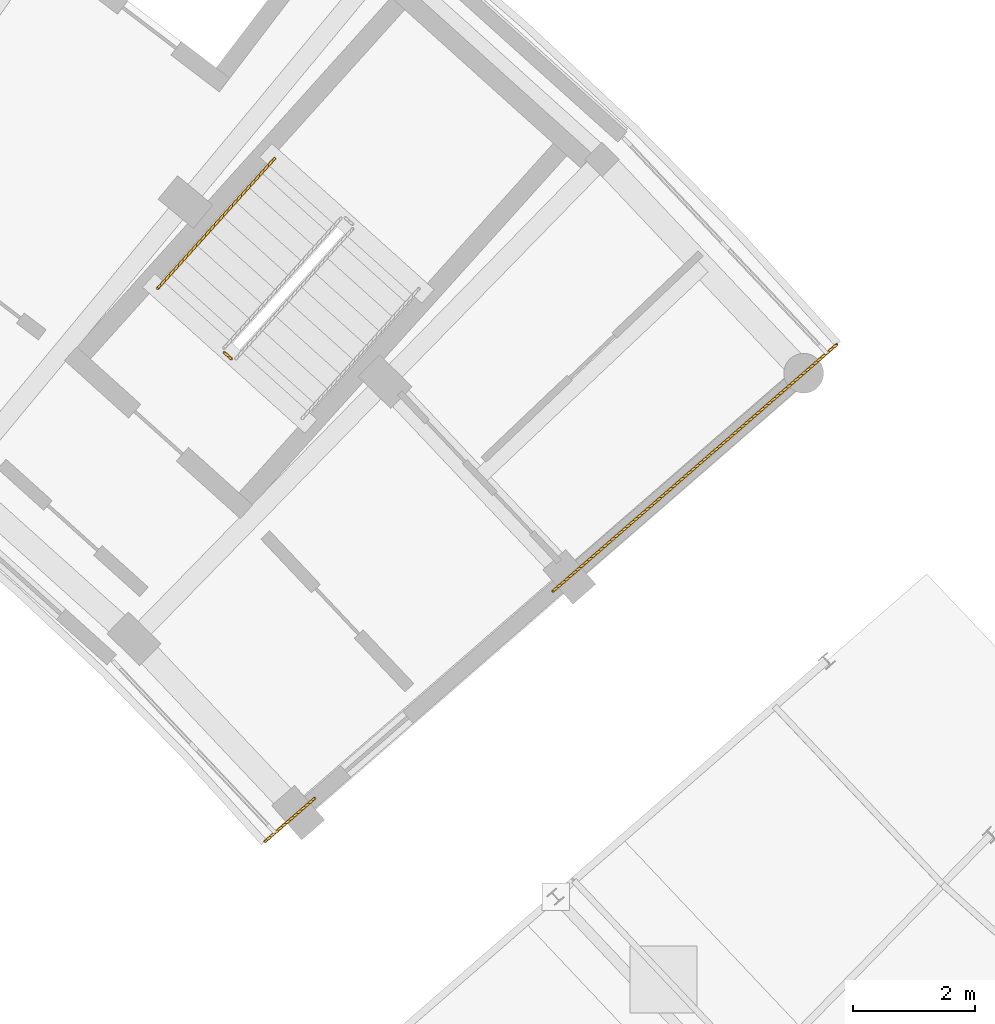
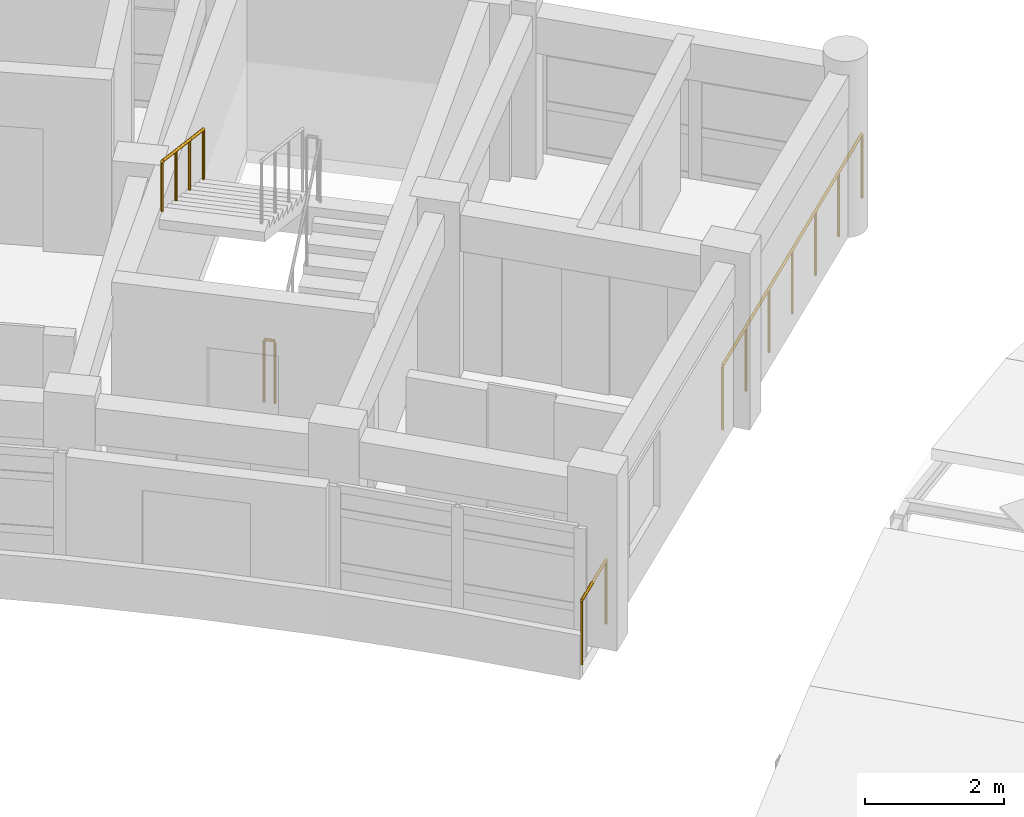
# One storey, part 38 of 40: 4 railings.
"""IFC4 building model written with IfcOpenShell, lengths in metres."""

from ifc_helpers import new_model, si_unit, direction, frame, origin, origin_2d, place, context, subcontext, project, spatial, circle, extrude, material, type_object, element, save


model = new_model("IFC4")

# Units and contexts
model_context = context("Model", 3, precision=1e-05, world=origin(), true_north=direction((0.0, 1.0)))
body_context = subcontext(model_context, "Body", "Model", "MODEL_VIEW")
ifc_project = project(units=[si_unit("LENGTHUNIT", "METRE"), si_unit("AREAUNIT", "SQUARE_METRE"), si_unit("VOLUMEUNIT", "CUBIC_METRE"), si_unit("PLANEANGLEUNIT", "RADIAN"), si_unit("MASSUNIT", "GRAM", prefix="KILO")], contexts=[model_context])

# Site, building, storey
site_placement = place(None, origin())
site = spatial("IfcSite", under=ifc_project, at=site_placement, CompositionType="ELEMENT")
building_placement = place(site_placement, origin())
building = spatial("IfcBuilding", under=site, at=building_placement, Name="Zimvara Arc Housing Community", CompositionType="ELEMENT")
storey_placement = place(building_placement, frame((0.0, 0.0, 32.89990234375)))
storey = spatial("IfcBuildingStorey", under=building, at=storey_placement, Name="L10", CompositionType="ELEMENT", Elevation=32.89990234375)

# Railings
ifc_material_1 = material(Name="Anodised Aluminium AW-6063", Category="aluminium")
railing_type_1 = type_object("IfcRailingType", Name="RLG-BAL-1120", PredefinedType="BALUSTRADE", material=ifc_material_1)
railing_1_placement = place(storey_placement, frame((80.074951171875, 83.3623046875, 0.0)))
element("IfcRailing", 1, at=railing_1_placement, inside=storey, type_object=railing_type_1, Name="L10 ST-B2 stair guard 4", PredefinedType="BALUSTRADE", context=body_context, shape_type="SweptSolid", body=[
    extrude(circle(Radius=0.02392578125, at=origin_2d()), frame((0.0, 0.0, 1.09619140625), z_axis=(-0.742763048172, 0.669554369913, 0.0), x_axis=(-0.669554369913, -0.742763048172, 0.0)), (0.0, 0.0, 1.0), 0.16015625),
    extrude(circle(Radius=0.02099609375, at=origin_2d()), origin(), (0.0, 0.0, 1.0), 1.072021484375),
    extrude(circle(Radius=0.02099609375, at=origin_2d()), frame((-0.118896484375, 0.107177734375, 0.0)), (0.0, 0.0, 1.0), 1.072021484375),
])
ifc_material_2 = material(Name="Anodised Aluminium AW-6063", Category="aluminium")
railing_type_2 = type_object("IfcRailingType", Name="RLG-BAL-1150", PredefinedType="BALUSTRADE", material=ifc_material_2)
railing_2_placement = place(storey_placement, frame((80.622314453125, 75.466064453125, 0.0)))
element("IfcRailing", 2, at=railing_2_placement, inside=storey, type_object=railing_type_2, Name="rlg:blkB:L10:gable_in:gN", PredefinedType="BALUSTRADE", context=body_context, shape_type="SweptSolid", body=[
    extrude(circle(Radius=0.02392578125, at=origin_2d()), frame((0.0, 0.0, 1.1259765625), z_axis=(0.75477095777, 0.655988415528, 0.0), x_axis=(-0.655988415528, 0.75477095777, 0.0)), (0.0, 0.0, 1.0), 1.080078125),
    extrude(circle(Radius=0.02099609375, at=origin_2d()), origin(), (0.0, 0.0, 1.0), 1.101806640625),
    extrude(circle(Radius=0.02099609375, at=origin_2d()), frame((0.815185546875, 0.70849609375, 0.0)), (0.0, 0.0, 1.0), 1.101806640625),
])
railing_3_placement = place(storey_placement, frame((85.331787109375, 79.559814453125, 0.0)))
element("IfcRailing", 3, at=railing_3_placement, inside=storey, type_object=railing_type_2, Name="rlg:blkB:L10:gable_out:gN", PredefinedType="BALUSTRADE", context=body_context, shape_type="SweptSolid", body=[
    extrude(circle(Radius=0.02392578125, at=origin_2d()), frame((0.0, 0.0, 1.1259765625), z_axis=(0.754708757217, 0.656059975749, 0.0), x_axis=(-0.656059975749, 0.754708757217, 0.0)), (0.0, 0.0, 1.0), 6.159912109375),
    extrude(circle(Radius=0.02099609375, at=origin_2d()), origin(), (0.0, 0.0, 1.0), 1.101806640625),
    extrude(circle(Radius=0.02099609375, at=origin_2d()), frame((0.77490234375, 0.673583984375, 0.0)), (0.0, 0.0, 1.0), 1.101806640625),
    extrude(circle(Radius=0.02099609375, at=origin_2d()), frame((1.549560546875, 1.34716796875, 0.0)), (0.0, 0.0, 1.0), 1.101806640625),
    extrude(circle(Radius=0.02099609375, at=origin_2d()), frame((2.324462890625, 2.0205078125, 0.0)), (0.0, 0.0, 1.0), 1.101806640625),
    extrude(circle(Radius=0.02099609375, at=origin_2d()), frame((3.099365234375, 2.694091796875, 0.0)), (0.0, 0.0, 1.0), 1.101806640625),
    extrude(circle(Radius=0.02099609375, at=origin_2d()), frame((3.8740234375, 3.36767578125, 0.0)), (0.0, 0.0, 1.0), 1.101806640625),
    extrude(circle(Radius=0.02099609375, at=origin_2d()), frame((4.64892578125, 4.041259765625, 0.0)), (0.0, 0.0, 1.0), 1.101806640625),
])
ifc_material_3 = material(Name="Anodised Aluminium AW-6063", Category="aluminium")
railing_type_3 = type_object("IfcRailingType", Name="RLG-HND-900", PredefinedType="HANDRAIL", material=ifc_material_3)
railing_4_placement = place(storey_placement, frame((80.78125, 86.64404296875, 1.705078125)))
element("IfcRailing", 4, at=railing_4_placement, inside=storey, type_object=railing_type_3, Name="L10 ST-B2 stair handrail 2", PredefinedType="HANDRAIL", context=body_context, shape_type="SweptSolid", body=[
    extrude(circle(Radius=0.02392578125, at=origin_2d()), frame((0.0, 0.0, 0.8759765625), z_axis=(-0.601262536038, -0.668205807809, 0.438160200347), x_axis=(0.743362010683, -0.668889319, 0.0)), (0.0, 0.0, 1.0), 3.183837890625),
    extrude(circle(Radius=0.02099609375, at=origin_2d()), origin(), (0.0, 0.0, 1.0), 0.851806640625),
    extrude(circle(Radius=0.02099609375, at=origin_2d()), frame((-0.63818359375, -0.709228515625, 0.465087890625)), (0.0, 0.0, 1.0), 0.851806640625),
    extrude(circle(Radius=0.02099609375, at=origin_2d()), frame((-1.276123046875, -1.418212890625, 0.929931640625)), (0.0, 0.0, 1.0), 0.851806640625),
    extrude(circle(Radius=0.02099609375, at=origin_2d()), frame((-1.914306640625, -2.12744140625, 1.39501953125)), (0.0, 0.0, 1.0), 0.851806640625),
])

save(model, "model.ifc")
